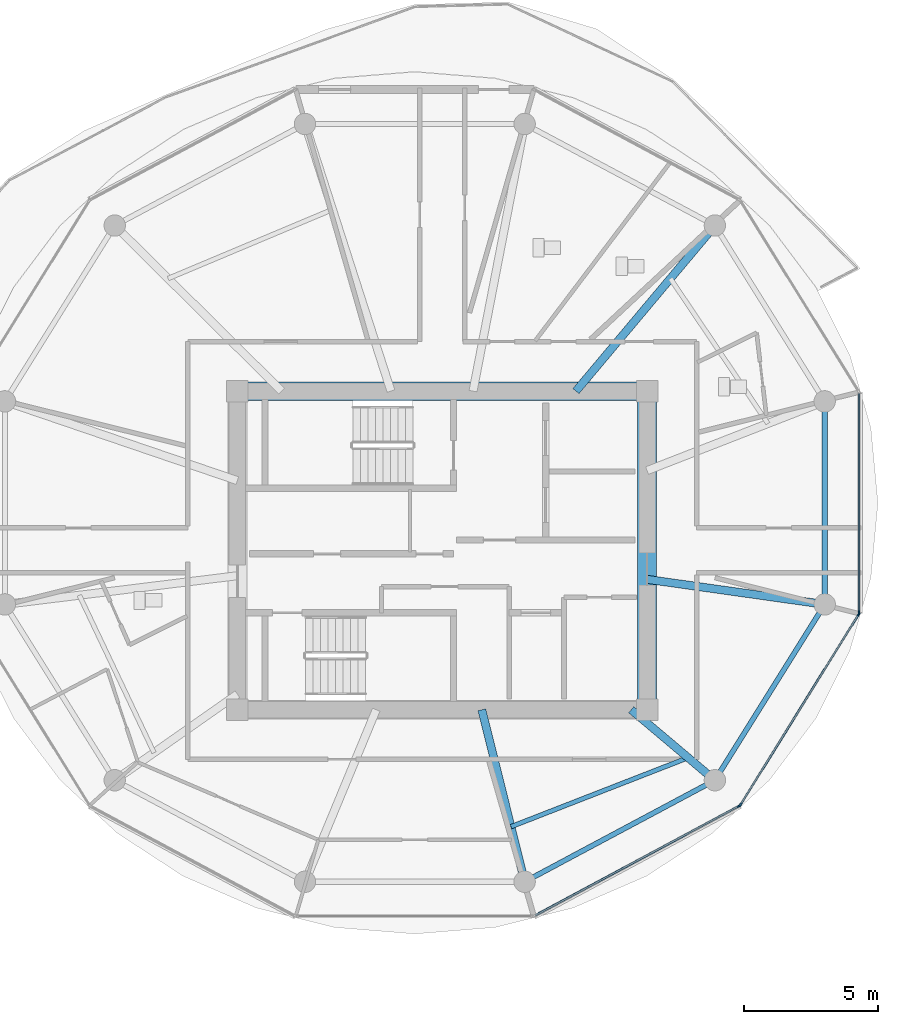
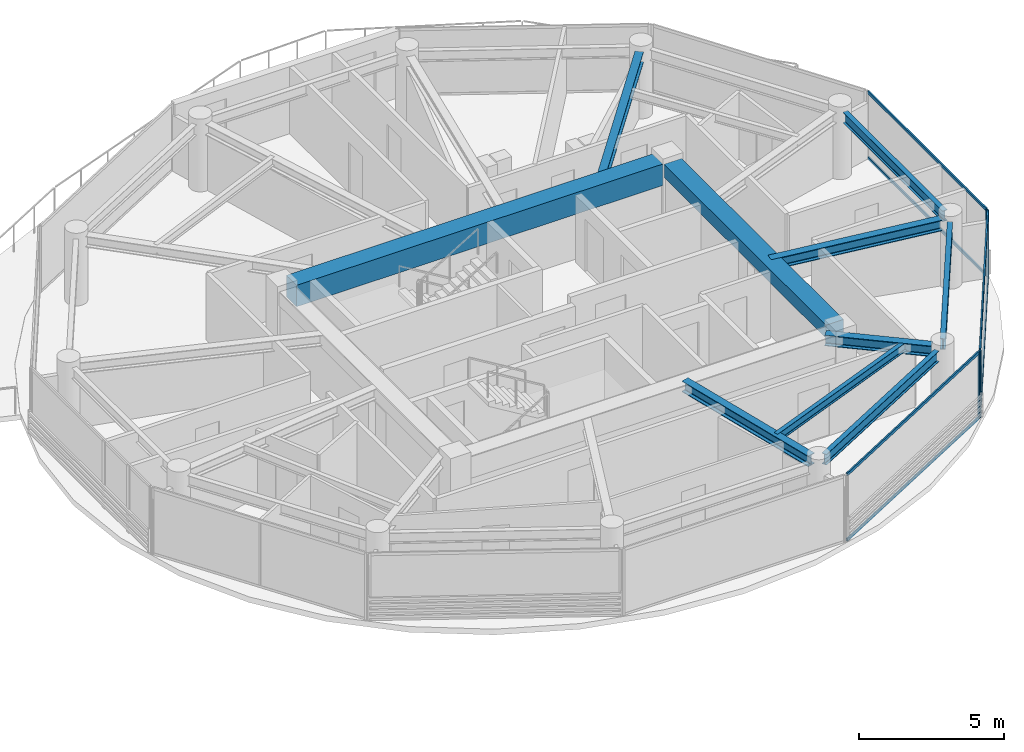
# One storey, part 9 of 23: 10 beams, 10 members, 3 elements without a shape of their own.
"""IFC4 building model written with IfcOpenShell, lengths in metres."""

import ifcopenshell
import ifcopenshell.guid

model = None  # the IFC model being written
_history = None  # IfcOwnerHistory: only IFC2X3 demands one
_inside = {}  # id of a spatial element -> (the spatial element, [elements in it])
_under = {}  # id of a project, library or spatial element -> (it, [spatial elements below it])
_declared = {}  # id of a project -> (the project, [libraries it declares])
_typed = {}  # id of a type object -> (the type object, [elements of that type])
_made_of = {}  # id of a material, layer set ... -> (it, [elements and type objects made of it])


def new_model(schema):
    """Start an empty IFC model of exactly this schema.

    Asked for "IFC4X3", IfcOpenShell would pick the latest addendum, in which some entities
    have other attributes; the version numbers below select the first issue.
    IFC2X3 requires an IfcOwnerHistory on every rooted entity: one is made here for all.
    """
    global model, _history
    if schema == "IFC4X3":
        model = ifcopenshell.file(schema_version=(4, 3, 0, 0))
    else:
        model = ifcopenshell.file(schema=schema)
    _inside.clear()
    _under.clear()
    _declared.clear()
    _typed.clear()
    _made_of.clear()
    _history = None
    if model.schema == "IFC2X3":
        org = make("IfcOrganization", Name="unknown")
        user = make(
            "IfcPersonAndOrganization",
            ThePerson=make("IfcPerson", FamilyName="unknown"),
            TheOrganization=org,
        )
        app = make(
            "IfcApplication",
            ApplicationDeveloper=org,
            Version="unknown",
            ApplicationFullName="unknown",
            ApplicationIdentifier="unknown",
        )
        _history = make(
            "IfcOwnerHistory",
            OwningUser=user,
            OwningApplication=app,
            ChangeAction="ADDED",
            CreationDate=0,
        )
    return model


def make(cls, **values):
    """One entity of the class cls with the attributes given. An attribute that is None is left unset."""
    return model.create_entity(
        cls, **{name: value for name, value in values.items() if value is not None}
    )


def rooted(cls, **values):
    """An entity with a GlobalId (a new one), such as an element, a storey or a relation."""
    return make(cls, GlobalId=ifcopenshell.guid.new(), OwnerHistory=_history, **values)


def si_unit(unit_type, name, prefix=None):
    """IfcSIUnit, for example si_unit("LENGTHUNIT", "METRE", prefix="MILLI")."""
    return make("IfcSIUnit", UnitType=unit_type, Prefix=prefix, Name=name)


def assignment(units):
    """IfcUnitAssignment: the units of a project."""
    return None if units is None else make("IfcUnitAssignment", Units=units)


def point(xyz):
    """IfcCartesianPoint."""
    return None if xyz is None else make("IfcCartesianPoint", Coordinates=xyz)


def direction(xyz):
    """IfcDirection."""
    return None if xyz is None else make("IfcDirection", DirectionRatios=xyz)


def frame(location, z_axis=None, x_axis=None):
    """IfcAxis2Placement3D, a coordinate frame: its origin and axes. An axis left out is left unset."""
    return make(
        "IfcAxis2Placement3D",
        Location=point(location),
        Axis=direction(z_axis),
        RefDirection=direction(x_axis),
    )


def frame_2d(location, x_axis=None):
    """IfcAxis2Placement2D, a coordinate frame in the plane: its origin and x axis."""
    return make(
        "IfcAxis2Placement2D", Location=point(location), RefDirection=direction(x_axis)
    )


def origin():
    """The frame at (0, 0, 0) with its axes left unset."""
    return frame((0.0, 0.0, 0.0))


def origin_2d():
    """The frame at (0, 0) in the plane with its x axis left unset."""
    return frame_2d((0.0, 0.0))


def place(relative_to, where):
    """IfcLocalPlacement: puts the frame where relative to a parent placement (None: the world)."""
    return make(
        "IfcLocalPlacement", PlacementRelTo=relative_to, RelativePlacement=where
    )


def context(
    kind, dimensions, precision=None, world=None, true_north=None, identifier=None
):
    """IfcGeometricRepresentationContext, for example the 3D "Model" context."""
    return make(
        "IfcGeometricRepresentationContext",
        ContextIdentifier=identifier,
        ContextType=kind,
        CoordinateSpaceDimension=dimensions,
        Precision=precision,
        WorldCoordinateSystem=world,
        TrueNorth=true_north,
    )


def subcontext(parent, identifier, kind, view, scale=None):
    """IfcGeometricRepresentationSubContext, for example "Body" below "Model"."""
    return make(
        "IfcGeometricRepresentationSubContext",
        ContextIdentifier=identifier,
        ContextType=kind,
        ParentContext=parent,
        TargetScale=scale,
        TargetView=view,
    )


def project(units=None, contexts=None):
    """IfcProject with its units and contexts."""
    return rooted(
        "IfcProject",
        Name="project",
        RepresentationContexts=contexts,
        UnitsInContext=assignment(units),
    )


def spatial(cls, under=None, at=None, **own):
    """A site, building, storey or space (cls), placed at a placement, below another one or the project."""
    s = rooted(cls, ObjectPlacement=at, **own)
    if under is not None:
        _under.setdefault(under.id(), (under, []))[1].append(s)
    return s


def profile(cls, at=None, kind="AREA", **sizes):
    """A parametric profile (cls). Its sizes go by their IFC names, for example OverallWidth=200.0."""
    return make(cls, ProfileType=kind, Position=at, **sizes)


def rectangle(**sizes):
    """IfcRectangleProfileDef."""
    return profile("IfcRectangleProfileDef", **sizes)


def i_section(**sizes):
    """IfcIShapeProfileDef."""
    return profile("IfcIShapeProfileDef", **sizes)


def extrude(swept, where, along, depth):
    """IfcExtrudedAreaSolid: the profile swept, set in the frame where, extruded along a direction by depth."""
    return make(
        "IfcExtrudedAreaSolid",
        SweptArea=swept,
        Position=where,
        ExtrudedDirection=direction(along),
        Depth=depth,
    )


def shape(context_of_items, identifier, shape_type, items):
    """IfcShapeRepresentation: the items that make up one representation, for example the "Body"."""
    return make(
        "IfcShapeRepresentation",
        ContextOfItems=context_of_items,
        RepresentationIdentifier=identifier,
        RepresentationType=shape_type,
        Items=items,
    )


def source(mapping_origin, context_of_items, identifier, shape_type, items):
    """IfcRepresentationMap: a shape defined once, which mapped items show again and again."""
    return make(
        "IfcRepresentationMap",
        MappingOrigin=mapping_origin,
        MappedRepresentation=shape(context_of_items, identifier, shape_type, items),
    )


def transform(
    local_origin,
    x_axis=None,
    y_axis=None,
    z_axis=None,
    scale=None,
    scale2=None,
    scale3=None,
    uniform=True,
):
    """IfcCartesianTransformationOperator3D, or its non-uniform kind. x_axis, y_axis, z_axis: its Axis1, 2, 3."""
    if uniform:
        return make(
            "IfcCartesianTransformationOperator3D",
            Axis1=direction(x_axis),
            Axis2=direction(y_axis),
            LocalOrigin=point(local_origin),
            Scale=scale,
            Axis3=direction(z_axis),
        )
    return make(
        "IfcCartesianTransformationOperator3DnonUniform",
        Axis1=direction(x_axis),
        Axis2=direction(y_axis),
        LocalOrigin=point(local_origin),
        Scale=scale,
        Axis3=direction(z_axis),
        Scale2=scale2,
        Scale3=scale3,
    )


def mapped(mapping_source, mapping_target):
    """IfcMappedItem: shows the shape of a source again, moved by a transform."""
    return make(
        "IfcMappedItem", MappingSource=mapping_source, MappingTarget=mapping_target
    )


def material(Name=None, Category=None):
    """IfcMaterial."""
    return make("IfcMaterial", Name=Name, Category=Category)


def layer(
    of_material, thickness, ventilated=None, Name=None, Category=None, Priority=None
):
    """IfcMaterialLayer: one layer of a wall or slab, of a material (None: an air gap)."""
    return make(
        "IfcMaterialLayer",
        Material=of_material,
        LayerThickness=thickness,
        IsVentilated=ventilated,
        Name=Name,
        Category=Category,
        Priority=Priority,
    )


def layer_set(layers, Name=None):
    """IfcMaterialLayerSet."""
    return make("IfcMaterialLayerSet", MaterialLayers=layers, LayerSetName=Name)


def material_profile(
    of_material, cross_section, Name=None, Category=None, Priority=None
):
    """IfcMaterialProfile: a cross section and its material."""
    return make(
        "IfcMaterialProfile",
        Name=Name,
        Material=of_material,
        Profile=cross_section,
        Priority=Priority,
        Category=Category,
    )


def profile_set(profiles, Name=None, composite=None):
    """IfcMaterialProfileSet."""
    return make(
        "IfcMaterialProfileSet",
        Name=Name,
        MaterialProfiles=profiles,
        CompositeProfile=composite,
    )


def made_of(thing, what):
    """Note that an element or type object is made of a material, layer set ...; save() writes the relation."""
    if what is not None:
        _made_of.setdefault(what.id(), (what, []))[1].append(thing)
    return thing


def type_object(cls, material=None, **own):
    """A type object (cls), such as IfcWallType, which elements share."""
    return made_of(rooted(cls, **own), material)


def type_shapes(of_type, sources):
    """Give a type object the sources (RepresentationMaps) that its elements show as mapped items."""
    of_type.RepresentationMaps = sources


def element(
    cls,
    number,
    at=None,
    inside=None,
    cuts=None,
    type_object=None,
    material=None,
    context=None,
    identifier="Body",
    shape_type=None,
    held_by="IfcProductDefinitionShape",
    body=None,
    shapes=None,
    **own,
):
    """One element of the class cls, such as IfcWall. Its Tag is "e" and its number.

    at: its placement. inside: the storey or other place that contains it. cuts: it is an
    opening in that element (IfcRelVoidsElement). A single representation is given by context,
    identifier, shape_type and body (its items); several are given by shapes. held_by: the class
    of the entity that holds the representations. save() writes the other relations.
    """
    e = rooted(cls, Tag="e%d" % number, ObjectPlacement=at, **own)
    if body is not None:
        shapes = [shape(context, identifier, shape_type, body)]
    if shapes is not None:
        e.Representation = make(held_by, Representations=shapes)
    if inside is not None:
        _inside.setdefault(inside.id(), (inside, []))[1].append(e)
    if cuts is not None:
        rooted(
            "IfcRelVoidsElement", RelatingBuildingElement=cuts, RelatedOpeningElement=e
        )
    if type_object is not None:
        _typed.setdefault(type_object.id(), (type_object, []))[1].append(e)
    return made_of(e, material)


def aggregate(whole, parts):
    """IfcRelAggregates: a whole, such as a stair, and the parts it consists of."""
    return rooted("IfcRelAggregates", RelatingObject=whole, RelatedObjects=parts)


def save(model, path):
    """Write the relations noted so far, then the file.

    IfcRelAggregates (storeys below a building ...), IfcRelContainedInSpatialStructure (elements
    in a storey), IfcRelDefinesByType, IfcRelAssociatesMaterial and IfcRelDeclares: one each for
    every whole, place, type object, material and project.
    """
    for whole, parts in _under.values():
        aggregate(whole, parts)
    for where, things in _inside.values():
        rooted(
            "IfcRelContainedInSpatialStructure",
            RelatedElements=things,
            RelatingStructure=where,
        )
    for kind, things in _typed.values():
        rooted("IfcRelDefinesByType", RelatedObjects=things, RelatingType=kind)
    for what, things in _made_of.values():
        rooted("IfcRelAssociatesMaterial", RelatedObjects=things, RelatingMaterial=what)
    for by, libraries in _declared.values():
        rooted("IfcRelDeclares", RelatingContext=by, RelatedDefinitions=libraries)
    model.write(path)


model = new_model("IFC4")

# Units and contexts
model_context = context("Model", 3, precision=1e-05, world=origin(), true_north=direction((0.0, 1.0)))
body_context = subcontext(model_context, "Body", "Model", "MODEL_VIEW")
ifc_project = project(units=[si_unit("LENGTHUNIT", "METRE"), si_unit("AREAUNIT", "SQUARE_METRE"), si_unit("VOLUMEUNIT", "CUBIC_METRE"), si_unit("PLANEANGLEUNIT", "RADIAN"), si_unit("MASSUNIT", "GRAM", prefix="KILO")], contexts=[model_context])

# Site, building, storey
site_placement = place(None, origin())
site = spatial("IfcSite", under=ifc_project, at=site_placement, CompositionType="ELEMENT")
building_placement = place(site_placement, origin())
building = spatial("IfcBuilding", under=site, at=building_placement, Name="Norrkilde Senior Care Towers", CompositionType="ELEMENT")
storey_placement = place(building_placement, frame((0.0, 0.0, 177.0)))
storey = spatial("IfcBuildingStorey", under=building, at=storey_placement, Name="L55", CompositionType="ELEMENT", Elevation=177.0)

# Beams
ifc_material_1 = material(Name="Concrete C60/75", Category="concrete")
ifc_material_profile_1 = material_profile(ifc_material_1, rectangle(XDim=0.699951171875, YDim=0.89990234375, at=origin_2d()), Name="RC BM 700x900")
ifc_profile_set_1 = profile_set([ifc_material_profile_1], Name="Concrete C60/75")
beam_type_1 = type_object("IfcBeamType", Name="Core Coupling Girder 700x900", PredefinedType="USERDEFINED", material=ifc_profile_set_1)
shared_shape_1 = source(origin(), body_context, "Body", "SweptSolid", [
    extrude(rectangle(XDim=0.699951171875, YDim=0.89990234375, at=origin_2d()), origin(), (0.0, 0.0, 1.0), 14.5400390625),
])
type_shapes(beam_type_1, [shared_shape_1])
beam_1_placement = place(storey_placement, frame((20.72998046875, 5.949951171875, 2.360107421875), z_axis=(1.0, 0.0, 0.0), x_axis=(0.0, 1.0, 0.0)))
element("IfcBeam", 1, at=beam_1_placement, inside=storey, type_object=beam_type_1, Name="L55 Core E N Coupling Girder", ObjectType="GIRDER", PredefinedType="USERDEFINED", context=body_context, shape_type="MappedRepresentation", body=[
    mapped(shared_shape_1, transform((0.0, 0.0, 0.0), x_axis=(1.0, 0.0, 0.0), y_axis=(0.0, 1.0, 0.0), z_axis=(0.0, 0.0, 1.0), scale=1.0)),
])
ifc_material_profile_2 = material_profile(ifc_material_1, rectangle(XDim=0.699951171875, YDim=0.550048828125, at=origin_2d()), Name="RC BM 700x550")
ifc_profile_set_2 = profile_set([ifc_material_profile_2], Name="Concrete C60/75")
beam_type_2 = type_object("IfcBeamType", Name="Core Portal Coupling Beam 700x550", PredefinedType="USERDEFINED", material=ifc_profile_set_2)
shared_shape_2 = source(origin(), body_context, "Body", "SweptSolid", [
    extrude(rectangle(XDim=0.699951171875, YDim=0.550048828125, at=origin_2d()), origin(), (0.0, 0.0, 1.0), 11.14013671875),
])
type_shapes(beam_type_2, [shared_shape_2])
beam_2_placement = place(storey_placement, frame((35.64990234375, -5.570068359375, 2.534912109375), z_axis=(0.0, 1.0, 0.0), x_axis=(-1.0, 0.0, 0.0)))
element("IfcBeam", 2, at=beam_2_placement, inside=storey, type_object=beam_type_2, Name="L55 Core E E Coupling Girder", ObjectType="GIRDER", PredefinedType="USERDEFINED", context=body_context, shape_type="MappedRepresentation", body=[
    mapped(shared_shape_2, transform((0.0, 0.0, 0.0), x_axis=(1.0, 0.0, 0.0), y_axis=(0.0, 1.0, 0.0), z_axis=(0.0, 0.0, 1.0), scale=1.0)),
])
ifc_material_2 = material(Name="Steel S355", Category="steel")
ifc_material_profile_3 = material_profile(ifc_material_2, i_section(OverallWidth=0.300048828125, OverallDepth=0.449951171875, WebThickness=0.013916015625, FlangeThickness=0.02587890625, FilletRadius=0.027099609375, at=origin_2d()), Name="HEB 450")
ifc_profile_set_3 = profile_set([ifc_material_profile_3], Name="Steel S355")
beam_type_3 = type_object("IfcBeamType", Name="Radial Floor Beam Z3 HEB450", PredefinedType="BEAM", material=ifc_profile_set_3)
shared_shape_3 = source(origin(), body_context, "Body", "SweptSolid", [
    extrude(i_section(OverallWidth=0.300048828125, OverallDepth=0.449951171875, WebThickness=0.013916015625, FlangeThickness=0.02587890625, FilletRadius=0.027099609375, at=origin_2d()), origin(), (0.0, 0.0, 1.0), 7.71337890625),
])
beam_3_placement = place(storey_placement, frame((32.992919921875, 5.949951171875, 2.5849609375), z_axis=(0.642808239864, 0.766027131872, 0.0), x_axis=(-0.766027131872, 0.642808239864, 0.0)))
element("IfcBeam", 3, at=beam_3_placement, inside=storey, type_object=beam_type_3, Name="L55 Drum E Radial Floor Beam 02", PredefinedType="BEAM", context=body_context, shape_type="MappedRepresentation", body=[
    mapped(shared_shape_3, transform((0.0, 0.0, 0.0), x_axis=(1.0, 0.0, 0.0), y_axis=(0.0, 1.0, 0.0), z_axis=(0.0, 0.0, 1.0), scale=1.0)),
])
ifc_material_profile_4 = material_profile(ifc_material_2, i_section(OverallWidth=0.18994140625, OverallDepth=0.449951171875, WebThickness=0.009521484375, FlangeThickness=0.0146484375, FilletRadius=0.02099609375, at=origin_2d()), Name="IPE 450")
ifc_profile_set_4 = profile_set([ifc_material_profile_4], Name="Steel S355")
beam_type_4 = type_object("IfcBeamType", Name="Perimeter Ring Spandrel Z3 IPE450", PredefinedType="SPANDREL", material=ifc_profile_set_4)
shared_shape_4 = source(origin(), body_context, "Body", "SweptSolid", [
    extrude(i_section(OverallWidth=0.18994140625, OverallDepth=0.449951171875, WebThickness=0.009521484375, FlangeThickness=0.0146484375, FilletRadius=0.02099609375, at=origin_2d()), origin(), (0.0, 0.0, 1.0), 6.86328125),
])
beam_4_placement = place(storey_placement, frame((42.284912109375, -1.65625, 2.5849609375), z_axis=(0.0, 1.0, 0.0), x_axis=(-1.0, 0.0, 0.0)))
element("IfcBeam", 4, at=beam_4_placement, inside=storey, type_object=beam_type_4, Name="L55 Drum E Perimeter Spandrel 12", PredefinedType="SPANDREL", context=body_context, shape_type="MappedRepresentation", body=[
    mapped(shared_shape_4, transform((0.0, 0.0, 0.0), x_axis=(1.0, 0.0, 0.0), y_axis=(0.0, 1.0, 0.0), z_axis=(0.0, 0.0, 1.0), scale=1.0)),
])
shared_shape_5 = source(origin(), body_context, "Body", "SweptSolid", [
    extrude(i_section(OverallWidth=0.18994140625, OverallDepth=0.449951171875, WebThickness=0.009521484375, FlangeThickness=0.0146484375, FilletRadius=0.02099609375, at=origin_2d()), origin(), (0.0, 0.0, 1.0), 7.023193359375),
])
beam_5_placement = place(storey_placement, frame((38.373291015625, -8.2783203125, 2.5849609375), z_axis=(0.529805197269, 0.848119362441, 0.0), x_axis=(-0.848119362441, 0.529805197269, 0.0)))
element("IfcBeam", 5, at=beam_5_placement, inside=storey, type_object=beam_type_4, Name="L55 Drum E Perimeter Spandrel 11", PredefinedType="SPANDREL", context=body_context, shape_type="MappedRepresentation", body=[
    mapped(shared_shape_5, transform((0.0, 0.0, 0.0), x_axis=(1.0, 0.0, 0.0), y_axis=(0.0, 1.0, 0.0), z_axis=(0.0, 0.0, 1.0), scale=1.0)),
])
shared_shape_6 = source(origin(), body_context, "Body", "SweptSolid", [
    extrude(i_section(OverallWidth=0.300048828125, OverallDepth=0.449951171875, WebThickness=0.013916015625, FlangeThickness=0.02587890625, FilletRadius=0.027099609375, at=origin_2d()), origin(), (0.0, 0.0, 1.0), 6.3408203125),
])
beam_6_placement = place(storey_placement, frame((35.64990234375, -1.079833984375, 2.5849609375), z_axis=(0.990184519576, -0.139766294905, 0.0), x_axis=(0.139766294905, 0.990184519576, 0.0)))
element("IfcBeam", 6, at=beam_6_placement, inside=storey, type_object=beam_type_3, Name="L55 Drum E Radial Floor Beam 12", PredefinedType="BEAM", context=body_context, shape_type="MappedRepresentation", body=[
    mapped(shared_shape_6, transform((0.0, 0.0, 0.0), x_axis=(1.0, 0.0, 0.0), y_axis=(0.0, 1.0, 0.0), z_axis=(0.0, 0.0, 1.0), scale=1.0)),
])
shared_shape_7 = source(origin(), body_context, "Body", "SweptSolid", [
    extrude(i_section(OverallWidth=0.18994140625, OverallDepth=0.449951171875, WebThickness=0.009521484375, FlangeThickness=0.0146484375, FilletRadius=0.02099609375, at=origin_2d()), origin(), (0.0, 0.0, 1.0), 7.333984375),
])
type_shapes(beam_type_4, [shared_shape_4, shared_shape_5, shared_shape_7])
beam_7_placement = place(storey_placement, frame((31.394775390625, -12.2060546875, 2.5849609375), z_axis=(0.882234038987, 0.470811109101, 0.0), x_axis=(-0.470811109101, 0.882234038987, 0.0)))
element("IfcBeam", 7, at=beam_7_placement, inside=storey, type_object=beam_type_4, Name="L55 Drum E Perimeter Spandrel 10", PredefinedType="SPANDREL", context=body_context, shape_type="MappedRepresentation", body=[
    mapped(shared_shape_7, transform((0.0, 0.0, 0.0), x_axis=(1.0, 0.0, 0.0), y_axis=(0.0, 1.0, 0.0), z_axis=(0.0, 0.0, 1.0), scale=1.0)),
])
shared_shape_8 = source(origin(), body_context, "Body", "SweptSolid", [
    extrude(i_section(OverallWidth=0.300048828125, OverallDepth=0.449951171875, WebThickness=0.013916015625, FlangeThickness=0.02587890625, FilletRadius=0.027099609375, at=origin_2d()), origin(), (0.0, 0.0, 1.0), 3.7265625),
])
beam_8_placement = place(storey_placement, frame((35.058349609375, -5.949951171875, 2.5849609375), z_axis=(0.764567902106, -0.644543189453, 0.0), x_axis=(0.644543189453, 0.764567902106, 0.0)))
element("IfcBeam", 8, at=beam_8_placement, inside=storey, type_object=beam_type_3, Name="L55 Drum E Radial Floor Beam 11", PredefinedType="BEAM", context=body_context, shape_type="MappedRepresentation", body=[
    mapped(shared_shape_8, transform((0.0, 0.0, 0.0), x_axis=(1.0, 0.0, 0.0), y_axis=(0.0, 1.0, 0.0), z_axis=(0.0, 0.0, 1.0), scale=1.0)),
])
shared_shape_9 = source(origin(), body_context, "Body", "SweptSolid", [
    extrude(i_section(OverallWidth=0.300048828125, OverallDepth=0.449951171875, WebThickness=0.013916015625, FlangeThickness=0.02587890625, FilletRadius=0.027099609375, at=origin_2d()), origin(), (0.0, 0.0, 1.0), 6.26123046875),
])
type_shapes(beam_type_3, [shared_shape_3, shared_shape_6, shared_shape_8, shared_shape_9])
beam_9_placement = place(storey_placement, frame((29.4794921875, -5.949951171875, 2.5849609375), z_axis=(0.241324375921, -0.970444509277, 0.0), x_axis=(0.970444509277, 0.241324375921, 0.0)))
element("IfcBeam", 9, at=beam_9_placement, inside=storey, type_object=beam_type_3, Name="L55 Drum E Radial Floor Beam 10", PredefinedType="BEAM", context=body_context, shape_type="MappedRepresentation", body=[
    mapped(shared_shape_9, transform((0.0, 0.0, 0.0), x_axis=(1.0, 0.0, 0.0), y_axis=(0.0, 1.0, 0.0), z_axis=(0.0, 0.0, 1.0), scale=1.0)),
])
ifc_material_profile_5 = material_profile(ifc_material_2, i_section(OverallWidth=0.169921875, OverallDepth=0.360107421875, WebThickness=0.008056640625, FlangeThickness=0.0126953125, FilletRadius=0.01806640625, at=origin_2d()), Name="IPE 360")
ifc_profile_set_5 = profile_set([ifc_material_profile_5], Name="Steel S355")
beam_type_5 = type_object("IfcBeamType", Name="Secondary Floor Joist IPE360", PredefinedType="JOIST", material=ifc_profile_set_5)
shared_shape_10 = source(origin(), body_context, "Body", "SweptSolid", [
    extrude(i_section(OverallWidth=0.169921875, OverallDepth=0.360107421875, WebThickness=0.008056640625, FlangeThickness=0.0126953125, FilletRadius=0.01806640625, at=origin_2d()), origin(), (0.0, 0.0, 1.0), 7.1015625),
])
type_shapes(beam_type_5, [shared_shape_10])
beam_10_placement = place(storey_placement, frame((30.56591796875, -10.3193359375, 2.6298828125), z_axis=(0.931761231292, 0.363071629106, 0.0), x_axis=(-0.363071629106, 0.931761231292, 0.0)))
element("IfcBeam", 10, at=beam_10_placement, inside=storey, type_object=beam_type_5, Name="L55 Drum E Secondary Floor Joist 4", PredefinedType="JOIST", context=body_context, shape_type="MappedRepresentation", body=[
    mapped(shared_shape_10, transform((0.0, 0.0, 0.0), x_axis=(1.0, 0.0, 0.0), y_axis=(0.0, 1.0, 0.0), z_axis=(0.0, 0.0, 1.0), scale=1.0)),
])

# Curtain wall, member
ifc_material_3 = material(Name="Triple Low-E Insulated Glazing", Category="glass")
ifc_layer = layer(ifc_material_3, 0.18994140625)
ifc_layer_set = layer_set([ifc_layer], Name="Triple Low-E Insulated Glazing")
curtain_wall_type = type_object("IfcCurtainWallType", Name="CW4 Zone 3 Senior Residence Curtain Wall", PredefinedType="NOTDEFINED", material=ifc_layer_set)
curtain_wall_1_placement = place(storey_placement, origin())
curtain_wall_1 = element("IfcCurtainWall", 11, at=curtain_wall_1_placement, inside=storey, type_object=curtain_wall_type, Name="L55 Drum E Curtain Wall 09", PredefinedType="NOTDEFINED")
ifc_material_4 = material(Name="Anodised Aluminium", Category="aluminium")
ifc_material_profile_6 = material_profile(ifc_material_4, rectangle(XDim=0.06494140625, YDim=0.14990234375, at=origin_2d()), Name="ALU MULL 65x150")
ifc_profile_set_6 = profile_set([ifc_material_profile_6], Name="Anodised Aluminium")
member_type_1 = type_object("IfcMemberType", Name="Curtain Wall Mullion Z3-Z4 65x150", PredefinedType="MULLION", material=ifc_profile_set_6)
shared_shape_11 = source(origin(), body_context, "Body", "SweptSolid", [
    extrude(rectangle(XDim=0.06494140625, YDim=0.14990234375, at=origin_2d()), origin(), (0.0, 0.0, 1.0), 2.81005859375),
])
type_shapes(member_type_1, [shared_shape_11])
member_1_placement = place(storey_placement, frame((39.094482421875, -9.53955078125, 0.0), z_axis=(0.0, 0.0, 1.0), x_axis=(0.47311715104, -0.880999524059, 0.0)))
member_1 = element("IfcMember", 12, at=member_1_placement, type_object=member_type_1, Name="CW-4 mullion 1", PredefinedType="MULLION", context=body_context, shape_type="MappedRepresentation", body=[
    mapped(shared_shape_11, transform((0.0, 0.0, 0.0), x_axis=(1.0, 0.0, 0.0), y_axis=(0.0, 1.0, 0.0), z_axis=(0.0, 0.0, 1.0), scale=1.0)),
])

# Curtain wall, members
curtain_wall_2_placement = place(storey_placement, origin())
curtain_wall_2 = element("IfcCurtainWall", 13, at=curtain_wall_2_placement, inside=storey, type_object=curtain_wall_type, Name="L55 Drum E Curtain Wall 10", PredefinedType="NOTDEFINED")
member_2_placement = place(storey_placement, frame((43.552490234375, -2.38818359375, 0.0), z_axis=(0.0, 0.0, 1.0), x_axis=(0.84963405474, -0.52737270789, 0.0)))
member_2 = element("IfcMember", 14, at=member_2_placement, type_object=member_type_1, Name="CW-4 mullion 1", PredefinedType="MULLION", context=body_context, shape_type="MappedRepresentation", body=[
    mapped(shared_shape_11, transform((0.0, 0.0, 0.0), x_axis=(1.0, 0.0, 0.0), y_axis=(0.0, 1.0, 0.0), z_axis=(0.0, 0.0, 1.0), scale=1.0)),
])
member_3_placement = place(storey_placement, frame((39.14013671875, -9.49658203125, 0.0), z_axis=(0.0, 0.0, 1.0), x_axis=(0.84963405474, -0.52737270789, 0.0)))
member_3 = element("IfcMember", 15, at=member_3_placement, type_object=member_type_1, Name="CW-4 mullion 2", PredefinedType="MULLION", context=body_context, shape_type="MappedRepresentation", body=[
    mapped(shared_shape_11, transform((0.0, 0.0, 0.0), x_axis=(1.0, 0.0, 0.0), y_axis=(0.0, 1.0, 0.0), z_axis=(0.0, 0.0, 1.0), scale=1.0)),
])

# Curtain wall, member
curtain_wall_3_placement = place(storey_placement, origin())
curtain_wall_3 = element("IfcCurtainWall", 16, at=curtain_wall_3_placement, inside=storey, type_object=curtain_wall_type, Name="L55 Drum E Curtain Wall 11", PredefinedType="NOTDEFINED")
member_4_placement = place(storey_placement, frame((43.569580078125, -2.328125, 0.0), z_axis=(0.0, 0.0, 1.0), x_axis=(1.0, 0.0, 0.0)))
member_4 = element("IfcMember", 17, at=member_4_placement, type_object=member_type_1, Name="CW-4 mullion 2", PredefinedType="MULLION", context=body_context, shape_type="MappedRepresentation", body=[
    mapped(shared_shape_11, transform((0.0, 0.0, 0.0), x_axis=(1.0, 0.0, 0.0), y_axis=(0.0, 1.0, 0.0), z_axis=(0.0, 0.0, 1.0), scale=1.0)),
])

# Member
ifc_material_profile_7 = material_profile(ifc_material_4, rectangle(XDim=0.06005859375, YDim=0.1201171875, at=origin_2d()), Name="ALU TRAN 60x120")
ifc_profile_set_7 = profile_set([ifc_material_profile_7], Name="Anodised Aluminium")
member_type_2 = type_object("IfcMemberType", Name="Curtain Wall Transom Typical 60x120", PredefinedType="USERDEFINED", material=ifc_profile_set_7)
shared_shape_12 = source(origin(), body_context, "Body", "SweptSolid", [
    extrude(rectangle(XDim=0.06005859375, YDim=0.1201171875, at=origin_2d()), origin(), (0.0, 0.0, 1.0), 8.301513671875),
])
member_5_placement = place(storey_placement, frame((43.535400390625, -2.415771484375, 0.030029296875), z_axis=(-0.527368718394, -0.849636531029, 0.0), x_axis=(0.849636531029, -0.527368718394, 0.0)))
member_5 = element("IfcMember", 18, at=member_5_placement, type_object=member_type_2, Name="CW-4 transom 1.1", ObjectType="TRANSOM", PredefinedType="USERDEFINED", context=body_context, shape_type="MappedRepresentation", body=[
    mapped(shared_shape_12, transform((0.0, 0.0, 0.0), x_axis=(1.0, 0.0, 0.0), y_axis=(0.0, 1.0, 0.0), z_axis=(0.0, 0.0, 1.0), scale=1.0)),
])

member_6_placement = place(storey_placement, frame((43.535400390625, -2.415771484375, 2.780029296875), z_axis=(-0.527368718394, -0.849636531029, 0.0), x_axis=(0.849636531029, -0.527368718394, 0.0)))
member_6 = element("IfcMember", 19, at=member_6_placement, type_object=member_type_2, Name="CW-4 transom 1.2", ObjectType="TRANSOM", PredefinedType="USERDEFINED", context=body_context, shape_type="MappedRepresentation", body=[
    mapped(shared_shape_12, transform((0.0, 0.0, 0.0), x_axis=(1.0, 0.0, 0.0), y_axis=(0.0, 1.0, 0.0), z_axis=(0.0, 0.0, 1.0), scale=1.0)),
])

aggregate(curtain_wall_2, [member_2, member_3, member_5, member_6])

shared_shape_13 = source(origin(), body_context, "Body", "SweptSolid", [
    extrude(rectangle(XDim=0.06005859375, YDim=0.1201171875, at=origin_2d()), origin(), (0.0, 0.0, 1.0), 8.612060546875),
])
member_7_placement = place(storey_placement, frame((39.06591796875, -9.554931640625, 0.030029296875), z_axis=(-0.881000337462, -0.473115636384, 0.0), x_axis=(0.473115636384, -0.881000337462, 0.0)))
member_7 = element("IfcMember", 20, at=member_7_placement, type_object=member_type_2, Name="CW-4 transom 1.1", ObjectType="TRANSOM", PredefinedType="USERDEFINED", context=body_context, shape_type="MappedRepresentation", body=[
    mapped(shared_shape_13, transform((0.0, 0.0, 0.0), x_axis=(1.0, 0.0, 0.0), y_axis=(0.0, 1.0, 0.0), z_axis=(0.0, 0.0, 1.0), scale=1.0)),
])

member_8_placement = place(storey_placement, frame((39.06591796875, -9.554931640625, 2.780029296875), z_axis=(-0.881000337462, -0.473115636384, 0.0), x_axis=(0.473115636384, -0.881000337462, 0.0)))
member_8 = element("IfcMember", 21, at=member_8_placement, type_object=member_type_2, Name="CW-4 transom 1.2", ObjectType="TRANSOM", PredefinedType="USERDEFINED", context=body_context, shape_type="MappedRepresentation", body=[
    mapped(shared_shape_13, transform((0.0, 0.0, 0.0), x_axis=(1.0, 0.0, 0.0), y_axis=(0.0, 1.0, 0.0), z_axis=(0.0, 0.0, 1.0), scale=1.0)),
])

aggregate(curtain_wall_1, [member_1, member_7, member_8])

shared_shape_14 = source(origin(), body_context, "Body", "SweptSolid", [
    extrude(rectangle(XDim=0.06005859375, YDim=0.1201171875, at=origin_2d()), origin(), (0.0, 0.0, 1.0), 8.141845703125),
])
type_shapes(member_type_2, [shared_shape_12, shared_shape_13, shared_shape_14])
member_9_placement = place(storey_placement, frame((43.569580078125, 5.84619140625, 0.030029296875), z_axis=(0.0, -1.0, 0.0), x_axis=(1.0, 0.0, 0.0)))
member_9 = element("IfcMember", 22, at=member_9_placement, type_object=member_type_2, Name="CW-4 transom 1.1", ObjectType="TRANSOM", PredefinedType="USERDEFINED", context=body_context, shape_type="MappedRepresentation", body=[
    mapped(shared_shape_14, transform((0.0, 0.0, 0.0), x_axis=(1.0, 0.0, 0.0), y_axis=(0.0, 1.0, 0.0), z_axis=(0.0, 0.0, 1.0), scale=1.0)),
])

member_10_placement = place(storey_placement, frame((43.569580078125, 5.84619140625, 2.780029296875), z_axis=(0.0, -1.0, 0.0), x_axis=(1.0, 0.0, 0.0)))
member_10 = element("IfcMember", 23, at=member_10_placement, type_object=member_type_2, Name="CW-4 transom 1.2", ObjectType="TRANSOM", PredefinedType="USERDEFINED", context=body_context, shape_type="MappedRepresentation", body=[
    mapped(shared_shape_14, transform((0.0, 0.0, 0.0), x_axis=(1.0, 0.0, 0.0), y_axis=(0.0, 1.0, 0.0), z_axis=(0.0, 0.0, 1.0), scale=1.0)),
])

aggregate(curtain_wall_3, [member_4, member_9, member_10])

save(model, "model.ifc")
